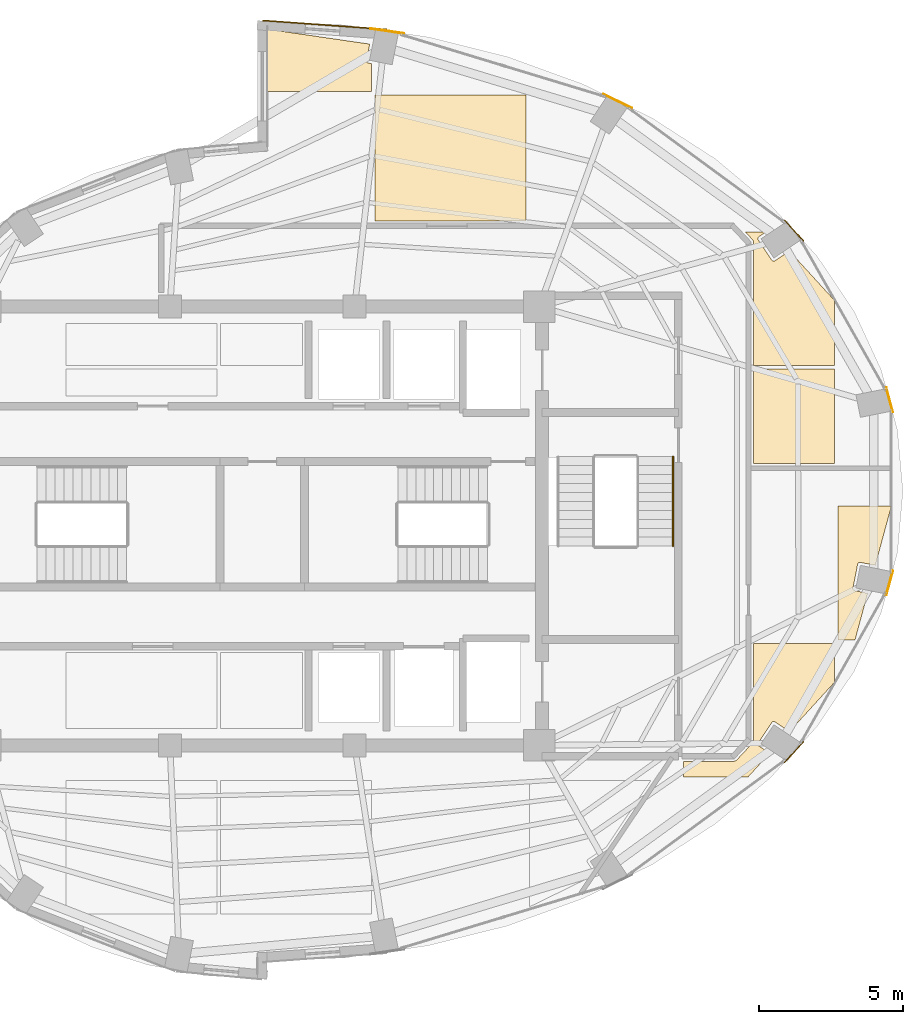
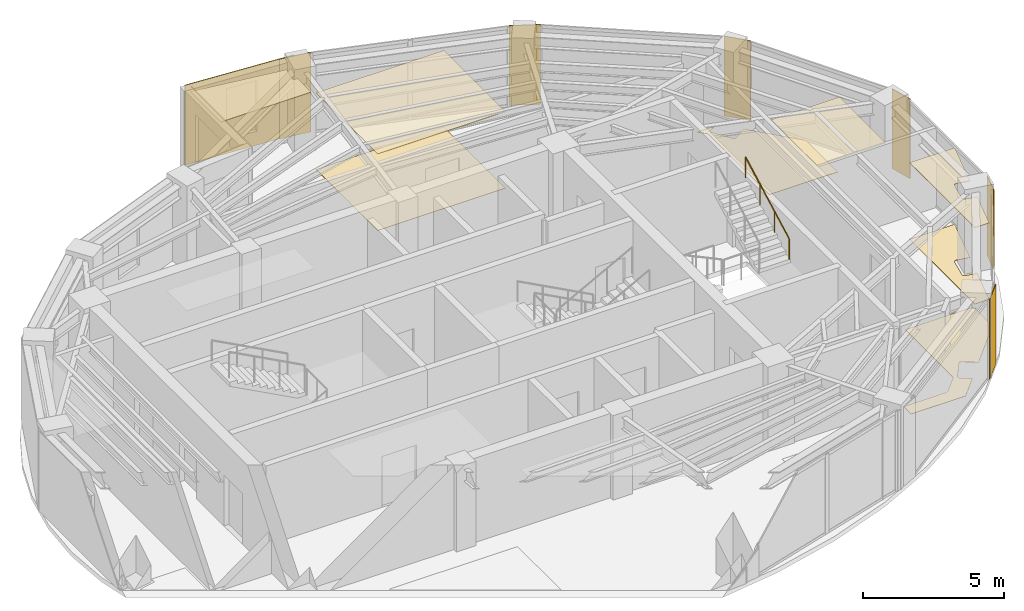
# One storey, part 12 of 12: 15 coverings, 1 railing.
"""IFC4 building model written with IfcOpenShell, lengths in metres."""

from ifc_helpers import new_model, si_unit, direction, frame, origin, origin_2d, place, context, subcontext, project, spatial, polyline, rectangle, circle, outline, extrude, material, layer, layer_set, type_object, element, save


model = new_model("IFC4")

# Units and contexts
model_context = context("Model", 3, precision=1e-05, world=origin(), true_north=direction((0.0, 1.0)))
body_context = subcontext(model_context, "Body", "Model", "MODEL_VIEW")
ifc_project = project(units=[si_unit("LENGTHUNIT", "METRE"), si_unit("AREAUNIT", "SQUARE_METRE"), si_unit("VOLUMEUNIT", "CUBIC_METRE"), si_unit("PLANEANGLEUNIT", "RADIAN"), si_unit("MASSUNIT", "GRAM", prefix="KILO")], contexts=[model_context])

# Site, building, storey
site_placement = place(None, origin())
site = spatial("IfcSite", under=ifc_project, at=site_placement, CompositionType="ELEMENT")
building_placement = place(site_placement, origin())
building = spatial("IfcBuilding", under=site, at=building_placement, Name="Lazwardi Medical Tower", CompositionType="ELEMENT")
storey_placement = place(building_placement, frame((0.0, 0.0, 291.50390625)))
storey = spatial("IfcBuildingStorey", under=building, at=storey_placement, Name="L76", CompositionType="ELEMENT", Elevation=291.50390625)

# Coverings
ifc_material_1 = material(Name="Anodised bronze aluminium cassette cladding", Category="aluminium")
ifc_layer_1 = layer(ifc_material_1, 0.030029296875)
ifc_layer_set_1 = layer_set([ifc_layer_1], Name="Anodised bronze aluminium cassette cladding")
covering_type_1 = type_object("IfcCoveringType", Name="COV-CLD-BRZ", PredefinedType="CLADDING", material=ifc_layer_set_1)
covering_1_placement = place(storey_placement, frame((54.42529296875, 20.165283203125, 0.0), z_axis=(0.0, 0.0, 1.0), x_axis=(0.673240970654, 0.739423150458, 0.0)))
element("IfcCovering", 1, at=covering_1_placement, inside=storey, type_object=covering_type_1, Name="L76 Mega-column bronze cassette cover M03", PredefinedType="CLADDING", context=body_context, shape_type="SweptSolid", body=[
    extrude(rectangle(XDim=0.98974609375, YDim=0.030029296875, at=origin_2d()), origin(), (0.0, 0.0, 1.0), 3.447998046875),
])
for number, where, z_axis, x_axis, name in (
    (2, (57.734130859375, 26.02734375, 0.0), (0.0, 0.0, 1.0), (0.261641748247, 0.96516506131, 0.0), "L76 Mega-column bronze cassette cover M04"),
    (3, (57.734130859375, 32.37255859375, 0.0), (0.0, 0.0, 1.0), (-0.261641748247, 0.96516506131, 0.0), "L76 Mega-column bronze cassette cover M05"),
):
    element("IfcCovering", number, at=place(storey_placement, frame(where, z_axis=z_axis, x_axis=x_axis)), inside=storey, type_object=covering_type_1, Name=name, PredefinedType="CLADDING", context=body_context, shape_type="SweptSolid", body=[
        extrude(rectangle(XDim=0.894287109375, YDim=0.030029296875, at=origin_2d()), origin(), (0.0, 0.0, 1.0), 3.447998046875),
    ])
covering_2_placement = place(storey_placement, frame((54.42529296875, 38.234619140625, 0.0), z_axis=(0.0, 0.0, 1.0), x_axis=(-0.673240970654, 0.739423150458, 0.0)))
element("IfcCovering", 4, at=covering_2_placement, inside=storey, type_object=covering_type_1, Name="L76 Mega-column bronze cassette cover M06", PredefinedType="CLADDING", context=body_context, shape_type="SweptSolid", body=[
    extrude(rectangle(XDim=0.98974609375, YDim=0.030029296875, at=origin_2d()), origin(), (0.0, 0.0, 1.0), 3.447998046875),
])
covering_3_placement = place(storey_placement, frame((48.311279296875, 42.721435546875, 0.0), z_axis=(0.0, 0.0, 1.0), x_axis=(-0.897840141691, 0.440321564278, 0.0)))
element("IfcCovering", 5, at=covering_3_placement, inside=storey, type_object=covering_type_1, Name="L76 Mega-column bronze cassette cover M07", PredefinedType="CLADDING", context=body_context, shape_type="SweptSolid", body=[
    extrude(rectangle(XDim=1.110595703125, YDim=0.030029296875, at=origin_2d()), origin(), (0.0, 0.0, 1.0), 3.447998046875),
])
covering_4_placement = place(storey_placement, frame((40.3232421875, 45.1494140625, 0.0), z_axis=(0.0, 0.0, 1.0), x_axis=(-0.989512431533, 0.144447733943, 0.0)))
element("IfcCovering", 6, at=covering_4_placement, inside=storey, type_object=covering_type_1, Name="L76 Mega-column bronze cassette cover M08", PredefinedType="CLADDING", context=body_context, shape_type="SweptSolid", body=[
    extrude(rectangle(XDim=1.188720703125, YDim=0.030029296875, at=origin_2d()), origin(), (0.0, 0.0, 1.0), 3.447998046875),
])
ifc_material_2 = material(Name="Turquoise glazed ceramic tilework cladding", Category="masonry")
ifc_layer_2 = layer(ifc_material_2, 0.034912109375)
ifc_layer_set_2 = layer_set([ifc_layer_2], Name="Turquoise glazed ceramic tilework cladding")
covering_type_2 = type_object("IfcCoveringType", Name="COV-CLD-TRQ", PredefinedType="CLADDING", material=ifc_layer_set_2)
covering_5_placement = place(storey_placement, frame((38.16259765625, 45.360107421875, 0.0), z_axis=(0.0, 0.0, 1.0), x_axis=(-0.997409491337, 0.071932653157, 0.0)))
element("IfcCovering", 7, at=covering_5_placement, inside=storey, type_object=covering_type_2, Name="L76 Turquoise glazed ceramic tilework cladding", PredefinedType="CLADDING", context=body_context, shape_type="SweptSolid", body=[
    extrude(rectangle(XDim=4.31103515625, YDim=0.034912109375, at=origin_2d()), origin(), (0.0, 0.0, 1.0), 3.447998046875),
])
ifc_material_3 = material(Name="Acoustic mineral fibre tile")
ifc_layer_3 = layer(ifc_material_3, 0.02490234375)
ifc_layer_set_3 = layer_set([ifc_layer_3], Name="Acoustic mineral fibre tile")
covering_type_3 = type_object("IfcCoveringType", Name="COV-CLG-01", PredefinedType="CEILING", material=ifc_layer_set_3)
covering_6_placement = place(storey_placement, frame((0.0, 0.0, 3.302978515625)))
element("IfcCovering", 8, at=covering_6_placement, inside=storey, type_object=covering_type_3, Name="L76 Clinical Acoustic Ceiling 5", PredefinedType="CEILING", context=body_context, shape_type="SweptSolid", body=[
    extrude(outline(polyline([(39.78173828125, 44.021484375), (39.67529296875, 44.042724609375), (39.667724609375, 44.044677734375), (39.660400390625, 44.04736328125), (39.6533203125, 44.050537109375), (39.646484375, 44.0546875), (39.64013671875, 44.059326171875), (39.63427734375, 44.064697265625), (39.629150390625, 44.0703125), (39.62451171875, 44.076904296875), (39.620361328125, 44.08349609375), (39.616943359375, 44.090576171875), (39.6142578125, 44.097900390625), (39.6123046875, 44.105712890625), (39.611328125, 44.11328125), (39.61083984375, 44.12109375), (39.611328125, 44.12890625), (39.6123046875, 44.13671875), (39.723876953125, 44.697021484375), (36.080078125, 45.2275390625), (36.080078125, 43.056396484375), (39.78173828125, 43.056396484375), (39.78173828125, 44.021484375)])), origin(), (0.0, 0.0, 1.0), 0.025146484375),
])
covering_7_placement = place(storey_placement, frame((0.0, 0.0, 3.302978515625)))
element("IfcCovering", 9, at=covering_7_placement, inside=storey, type_object=covering_type_3, Name="L76 Clinical Acoustic Ceiling 6", PredefinedType="CEILING", context=body_context, shape_type="SweptSolid", body=[
    extrude(outline(polyline([(39.90185546875, 38.574951171875), (45.1318359375, 38.574951171875), (45.1318359375, 42.936279296875), (39.90185546875, 42.936279296875), (39.90185546875, 38.574951171875)])), origin(), (0.0, 0.0, 1.0), 0.025146484375),
])
covering_8_placement = place(storey_placement, frame((0.0, 0.0, 3.302978515625)))
element("IfcCovering", 10, at=covering_8_placement, inside=storey, type_object=covering_type_3, Name="L76 Clinical Acoustic Ceiling 7", PredefinedType="CEILING", context=body_context, shape_type="SweptSolid", body=[
    extrude(outline(polyline([(53.02490234375, 33.436279296875), (53.02490234375, 30.1650390625), (55.831787109375, 30.1650390625), (55.831787109375, 33.436279296875), (53.02490234375, 33.436279296875)])), origin(), (0.0, 0.0, 1.0), 0.025146484375),
])
covering_9_placement = place(storey_placement, frame((0.0, 0.0, 3.302978515625)))
element("IfcCovering", 11, at=covering_9_placement, inside=storey, type_object=covering_type_3, Name="L76 Clinical Acoustic Ceiling 8", PredefinedType="CEILING", context=body_context, shape_type="SweptSolid", body=[
    extrude(outline(polyline([(56.53955078125, 24.056396484375), (56.9775390625, 25.668701171875), (56.5283203125, 25.7578125), (56.520751953125, 25.759765625), (56.513427734375, 25.762451171875), (56.50634765625, 25.765869140625), (56.49951171875, 25.77001953125), (56.4931640625, 25.774658203125), (56.4873046875, 25.77978515625), (56.482177734375, 25.78564453125), (56.4775390625, 25.7919921875), (56.473388671875, 25.798583984375), (56.47021484375, 25.805908203125), (56.46728515625, 25.813232421875), (56.465576171875, 25.82080078125), (56.46435546875, 25.82861328125), (56.464111328125, 25.83642578125), (56.46435546875, 25.84423828125), (56.465576171875, 25.85205078125), (56.62939453125, 26.67578125), (56.63134765625, 26.683349609375), (56.634033203125, 26.69091796875), (56.63720703125, 26.697998046875), (56.641357421875, 26.70458984375), (56.64599609375, 26.7109375), (56.6513671875, 26.716796875), (56.656982421875, 26.721923828125), (56.66357421875, 26.726806640625), (56.670166015625, 26.730712890625), (56.67724609375, 26.734130859375), (56.684814453125, 26.73681640625), (56.6923828125, 26.73876953125), (56.7001953125, 26.73974609375), (56.7080078125, 26.740234375), (56.7158203125, 26.73974609375), (56.723388671875, 26.73876953125), (57.240478515625, 26.635986328125), (57.797607421875, 28.686279296875), (55.951904296875, 28.686279296875), (55.951904296875, 24.056396484375), (56.53955078125, 24.056396484375)])), origin(), (0.0, 0.0, 1.0), 0.025146484375),
])
ifc_material_4 = material(Name="Anti-static hospital vinyl sheet flooring")
ifc_layer_4 = layer(ifc_material_4, 0.014892578125)
ifc_layer_set_4 = layer_set([ifc_layer_4], Name="Anti-static hospital vinyl sheet flooring")
covering_type_4 = type_object("IfcCoveringType", Name="COV-FLR-01", PredefinedType="FLOORING", material=ifc_layer_set_4)
covering_10_placement = place(storey_placement, origin())
element("IfcCovering", 12, at=covering_10_placement, inside=storey, type_object=covering_type_4, Name="L76 Clinical Vinyl Flooring 6", PredefinedType="FLOORING", context=body_context, shape_type="SweptSolid", body=[
    extrude(outline(polyline([(39.90185546875, 38.574951171875), (45.1318359375, 38.574951171875), (45.1318359375, 42.936279296875), (39.90185546875, 42.936279296875), (39.90185546875, 38.574951171875)])), origin(), (0.0, 0.0, 1.0), 0.01513671875),
])
covering_11_placement = place(storey_placement, origin())
element("IfcCovering", 13, at=covering_11_placement, inside=storey, type_object=covering_type_4, Name="L76 Clinical Vinyl Flooring 8", PredefinedType="FLOORING", context=body_context, shape_type="SweptSolid", body=[
    extrude(outline(polyline([(53.02490234375, 23.936279296875), (53.02490234375, 20.58984375), (53.02490234375, 20.586181640625), (53.0244140625, 20.577392578125), (53.023681640625, 20.5693359375), (53.0224609375, 20.560546875), (53.021240234375, 20.55419921875), (53.019287109375, 20.545654296875), (53.016845703125, 20.537353515625), (53.013916015625, 20.529052734375), (53.01123046875, 20.522216796875), (53.007568359375, 20.513916015625), (53.004150390625, 20.507080078125), (52.999755859375, 20.49951171875), (52.995849609375, 20.493408203125), (52.99072265625, 20.486083984375), (52.986083984375, 20.47998046875), (52.980224609375, 20.47314453125), (52.977783203125, 20.470458984375), (52.44580078125, 19.900634765625), (52.44287109375, 19.897705078125), (52.435791015625, 19.89111328125), (52.429443359375, 19.88525390625), (52.421630859375, 19.87939453125), (52.415283203125, 19.874755859375), (52.406982421875, 19.86962890625), (52.399658203125, 19.865478515625), (52.39111328125, 19.861083984375), (52.383544921875, 19.85791015625), (52.37451171875, 19.8544921875), (52.3671875, 19.852294921875), (52.357666015625, 19.849609375), (52.349609375, 19.847900390625), (52.33984375, 19.846435546875), (52.33154296875, 19.845703125), (52.322021484375, 19.84521484375), (52.31787109375, 19.844970703125), (50.60791015625, 19.844970703125), (50.606689453125, 19.843505859375), (50.601806640625, 19.839111328125), (50.601806640625, 19.306396484375), (52.835693359375, 19.306396484375), (53.584716796875, 20.126708984375), (53.2080078125, 20.37841796875), (53.20166015625, 20.38330078125), (53.19580078125, 20.388427734375), (53.190673828125, 20.394287109375), (53.185791015625, 20.400634765625), (53.181884765625, 20.4072265625), (53.178466796875, 20.414306640625), (53.17578125, 20.421875), (53.173828125, 20.429443359375), (53.1728515625, 20.437255859375), (53.17236328125, 20.445068359375), (53.1728515625, 20.452880859375), (53.173828125, 20.460693359375), (53.17578125, 20.46826171875), (53.178466796875, 20.4755859375), (53.181884765625, 20.482666015625), (53.185791015625, 20.489501953125), (53.652587890625, 21.187744140625), (53.6572265625, 21.194091796875), (53.66259765625, 21.199951171875), (53.66845703125, 21.205078125), (53.6748046875, 21.2099609375), (53.681396484375, 21.214111328125), (53.6884765625, 21.21728515625), (53.69580078125, 21.219970703125), (53.70361328125, 21.221923828125), (53.711181640625, 21.222900390625), (53.718994140625, 21.223388671875), (53.726806640625, 21.222900390625), (53.734619140625, 21.221923828125), (53.7421875, 21.219970703125), (53.749755859375, 21.21728515625), (53.7568359375, 21.214111328125), (53.763427734375, 21.2099609375), (54.2666015625, 20.873779296875), (55.831787109375, 22.5888671875), (55.831787109375, 23.936279296875), (53.02490234375, 23.936279296875)])), origin(), (0.0, 0.0, 1.0), 0.01513671875),
])
covering_12_placement = place(storey_placement, origin())
element("IfcCovering", 14, at=covering_12_placement, inside=storey, type_object=covering_type_4, Name="L76 Clinical Vinyl Flooring 9", PredefinedType="FLOORING", context=body_context, shape_type="SweptSolid", body=[
    extrude(outline(polyline([(55.831787109375, 35.811279296875), (54.2666015625, 37.526123046875), (53.763427734375, 37.190185546875), (53.7568359375, 37.18603515625), (53.749755859375, 37.1826171875), (53.7421875, 37.179931640625), (53.734619140625, 37.177978515625), (53.726806640625, 37.177001953125), (53.718994140625, 37.176513671875), (53.711181640625, 37.177001953125), (53.70361328125, 37.177978515625), (53.69580078125, 37.179931640625), (53.6884765625, 37.1826171875), (53.681396484375, 37.18603515625), (53.6748046875, 37.190185546875), (53.66845703125, 37.19482421875), (53.66259765625, 37.199951171875), (53.6572265625, 37.205810546875), (53.652587890625, 37.212158203125), (53.185791015625, 37.91064453125), (53.181884765625, 37.917236328125), (53.178466796875, 37.92431640625), (53.17578125, 37.931884765625), (53.173828125, 37.939453125), (53.1728515625, 37.947265625), (53.17236328125, 37.955078125), (53.1728515625, 37.962890625), (53.173828125, 37.970703125), (53.17578125, 37.978271484375), (53.178466796875, 37.985595703125), (53.181884765625, 37.99267578125), (53.185791015625, 37.99951171875), (53.190673828125, 38.005859375), (53.19580078125, 38.01171875), (53.20166015625, 38.016845703125), (53.2080078125, 38.021484375), (53.45458984375, 38.186279296875), (52.738037109375, 38.186279296875), (52.977783203125, 37.929443359375), (52.980224609375, 37.9267578125), (52.986083984375, 37.919921875), (52.99072265625, 37.913818359375), (52.995849609375, 37.906494140625), (52.999755859375, 37.900390625), (53.004150390625, 37.892822265625), (53.007568359375, 37.885986328125), (53.01123046875, 37.877685546875), (53.013916015625, 37.87109375), (53.016845703125, 37.862548828125), (53.019287109375, 37.8544921875), (53.021240234375, 37.845703125), (53.0224609375, 37.839599609375), (53.023681640625, 37.830810546875), (53.0244140625, 37.822509765625), (53.02490234375, 37.813720703125), (53.02490234375, 37.81005859375), (53.02490234375, 33.556396484375), (55.831787109375, 33.556396484375), (55.831787109375, 35.811279296875)])), origin(), (0.0, 0.0, 1.0), 0.01513671875),
])
covering_13_placement = place(storey_placement, origin())
element("IfcCovering", 15, at=covering_13_placement, inside=storey, type_object=covering_type_4, Name="L76 Clinical Vinyl Flooring 10", PredefinedType="FLOORING", context=body_context, shape_type="SweptSolid", body=[
    extrude(outline(polyline([(56.53955078125, 24.056396484375), (56.9775390625, 25.668701171875), (56.5283203125, 25.7578125), (56.520751953125, 25.759765625), (56.513427734375, 25.762451171875), (56.50634765625, 25.765869140625), (56.49951171875, 25.77001953125), (56.4931640625, 25.774658203125), (56.4873046875, 25.77978515625), (56.482177734375, 25.78564453125), (56.4775390625, 25.7919921875), (56.473388671875, 25.798583984375), (56.47021484375, 25.805908203125), (56.46728515625, 25.813232421875), (56.465576171875, 25.82080078125), (56.46435546875, 25.82861328125), (56.464111328125, 25.83642578125), (56.46435546875, 25.84423828125), (56.465576171875, 25.85205078125), (56.62939453125, 26.67578125), (56.63134765625, 26.683349609375), (56.634033203125, 26.69091796875), (56.63720703125, 26.697998046875), (56.641357421875, 26.70458984375), (56.64599609375, 26.7109375), (56.6513671875, 26.716796875), (56.656982421875, 26.721923828125), (56.66357421875, 26.726806640625), (56.670166015625, 26.730712890625), (56.67724609375, 26.734130859375), (56.684814453125, 26.73681640625), (56.6923828125, 26.73876953125), (56.7001953125, 26.73974609375), (56.7080078125, 26.740234375), (56.7158203125, 26.73974609375), (56.723388671875, 26.73876953125), (57.240478515625, 26.635986328125), (57.797607421875, 28.686279296875), (55.951904296875, 28.686279296875), (55.951904296875, 24.056396484375), (56.53955078125, 24.056396484375)])), origin(), (0.0, 0.0, 1.0), 0.01513671875),
])

# Railing
ifc_material_5 = material(Name="Stainless steel Grade 316", Category="steel")
railing_type = type_object("IfcRailingType", Name="RLG-HND-920", PredefinedType="HANDRAIL", material=ifc_material_5)
railing_placement = place(storey_placement, frame((50.22998046875, 27.300048828125, 1.989990234375)))
element("IfcRailing", 16, at=railing_placement, inside=storey, type_object=railing_type, Name="L76 ST3 stair handrail 2", PredefinedType="HANDRAIL", context=body_context, shape_type="SweptSolid", body=[
    extrude(circle(Radius=0.02392578125, at=origin_2d()), frame((0.0, 0.0, 0.8857421875), z_axis=(0.0, 0.881767849116, 0.471683644262), x_axis=(-1.0, 0.0, 0.0)), (0.0, 0.0, 1.0), 3.515380859375),
    extrude(circle(Radius=0.02099609375, at=origin_2d()), origin(), (0.0, 0.0, 1.0), 0.85986328125),
    extrude(circle(Radius=0.02099609375, at=origin_2d()), frame((0.0, 1.033203125, 0.552734375)), (0.0, 0.0, 1.0), 0.85986328125),
    extrude(circle(Radius=0.02099609375, at=origin_2d()), frame((0.0, 2.066650390625, 1.10546875)), (0.0, 0.0, 1.0), 0.85986328125),
    extrude(circle(Radius=0.02099609375, at=origin_2d()), frame((0.0, 3.099853515625, 1.658203125)), (0.0, 0.0, 1.0), 0.85986328125),
])

save(model, "model.ifc")
